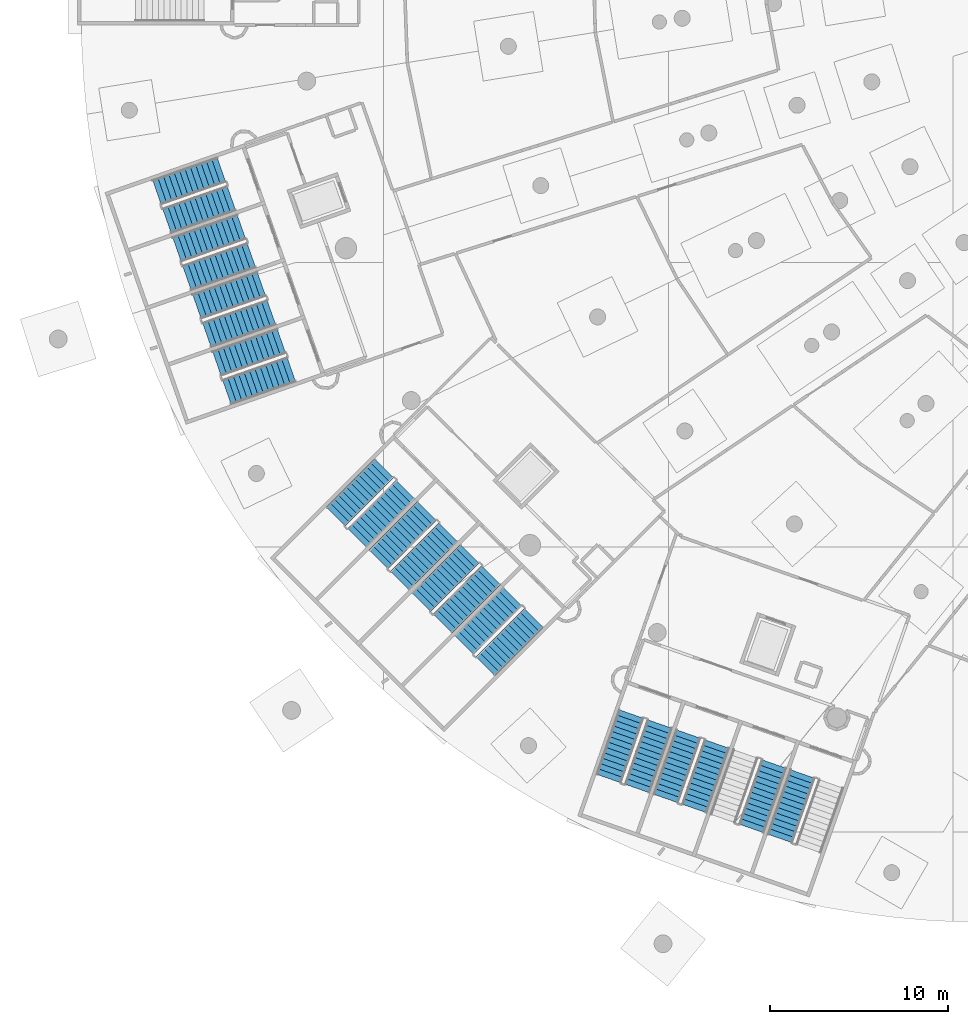
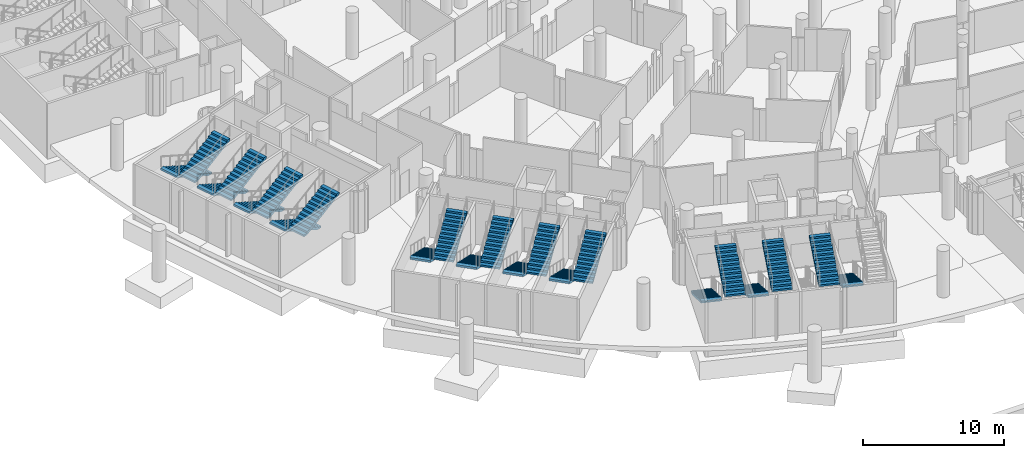
# One storey, part 98 of 142: 22 stair flights, 12 elements without a shape of their own.
"""IFC4 building model written with IfcOpenShell, lengths in metres."""

from ifc_helpers import new_model, si_unit, direction, frame, origin, place, context, subcontext, project, spatial, polyline, outline, extrude, material, type_object, element, aggregate, save


model = new_model("IFC4")

# Units and contexts
model_context = context("Model", 3, precision=1e-05, world=origin(), true_north=direction((0.0, 1.0)))
body_context = subcontext(model_context, "Body", "Model", "MODEL_VIEW")
ifc_project = project(units=[si_unit("LENGTHUNIT", "METRE"), si_unit("AREAUNIT", "SQUARE_METRE"), si_unit("VOLUMEUNIT", "CUBIC_METRE"), si_unit("PLANEANGLEUNIT", "RADIAN"), si_unit("MASSUNIT", "GRAM", prefix="KILO")], contexts=[model_context])

# Site, building, storey
site_placement = place(None, origin())
site = spatial("IfcSite", under=ifc_project, at=site_placement, CompositionType="ELEMENT")
building_placement = place(site_placement, origin())
building = spatial("IfcBuilding", under=site, at=building_placement, Name="Meseta Stadium", CompositionType="ELEMENT")
storey_placement = place(building_placement, frame((0.0, 0.0, -4.0)))
storey = spatial("IfcBuildingStorey", under=building, at=storey_placement, Name="B1", CompositionType="ELEMENT", Elevation=-4.0)

# Stair, stair flights
ifc_material_1 = material(Name="Concrete C40/50", Category="concrete")
stair_type = type_object("IfcStairType", Name="Exit stair 2 flights 154 mm risers", PredefinedType="HALF_TURN_STAIR", material=ifc_material_1)
stair_1_placement = place(storey_placement, origin())
stair_1 = element("IfcStair", 1, at=stair_1_placement, inside=storey, type_object=stair_type, Name="ST77 B1", PredefinedType="HALF_TURN_STAIR")
ifc_material_2 = material(Name="Concrete C40/50", Category="concrete")
stair_flight_type = type_object("IfcStairFlightType", Name="Exit stair flight 154 mm risers, 2 per storey", PredefinedType="STRAIGHT", material=ifc_material_2)
stair_flight_1_placement = place(storey_placement, frame((-89.118408203125, -58.7841796875, 0.0), z_axis=(0.0, 0.0, 1.0), x_axis=(-0.943883331955, -0.330279057248, 0.0)))
stair_flight_1 = element("IfcStairFlight", 2, at=stair_flight_1_placement, type_object=stair_flight_type, Name="ST77 B1 flight 1", NumberOfRisers=13, NumberOfTreads=12, PredefinedType="STRAIGHT", RiserHeight=0.153846154, TreadLength=0.32, context=body_context, shape_type="SweptSolid", body=[
    extrude(outline(polyline([(0.0, 0.0), (0.0, 0.15380859375), (0.320068359375, 0.15380859375), (0.320068359375, 0.3076171875), (0.639892578125, 0.3076171875), (0.639892578125, 0.46142578125), (0.9599609375, 0.46142578125), (0.9599609375, 0.615478515625), (1.280029296875, 0.615478515625), (1.280029296875, 0.769287109375), (1.60009765625, 0.769287109375), (1.60009765625, 0.923095703125), (1.919921875, 0.923095703125), (1.919921875, 1.076904296875), (2.239990234375, 1.076904296875), (2.239990234375, 1.230712890625), (2.56005859375, 1.230712890625), (2.56005859375, 1.384521484375), (2.8798828125, 1.384521484375), (2.8798828125, 1.53857421875), (3.199951171875, 1.53857421875), (3.199951171875, 1.6923828125), (3.52001953125, 1.6923828125), (3.52001953125, 1.84619140625), (3.840087890625, 1.84619140625), (3.840087890625, 1.679931640625), (0.345947265625, 0.0), (0.0, 0.0)])), frame((0.0, 0.75, 0.0), z_axis=(0.0, -1.0, 0.0), x_axis=(1.0, 0.0, 0.0)), (0.0, 0.0, 1.0), 1.5),
])
stair_flight_2_placement = place(storey_placement, frame((-92.181396484375, -61.656982421875, 2.0), z_axis=(0.0, 0.0, 1.0), x_axis=(0.943883331955, 0.330279057248, 0.0)))
stair_flight_2 = element("IfcStairFlight", 3, at=stair_flight_2_placement, type_object=stair_flight_type, Name="ST77 B1 flight 2", NumberOfRisers=13, NumberOfTreads=12, PredefinedType="STRAIGHT", RiserHeight=0.153846154, TreadLength=0.32, context=body_context, shape_type="SweptSolid", body=[
    extrude(outline(polyline([(0.0, 0.0), (0.0, 0.15380859375), (0.320068359375, 0.15380859375), (0.320068359375, 0.3076171875), (0.639892578125, 0.3076171875), (0.639892578125, 0.46142578125), (0.9599609375, 0.46142578125), (0.9599609375, 0.615478515625), (1.280029296875, 0.615478515625), (1.280029296875, 0.769287109375), (1.60009765625, 0.769287109375), (1.60009765625, 0.923095703125), (1.919921875, 0.923095703125), (1.919921875, 1.076904296875), (2.239990234375, 1.076904296875), (2.239990234375, 1.230712890625), (2.56005859375, 1.230712890625), (2.56005859375, 1.384521484375), (2.8798828125, 1.384521484375), (2.8798828125, 1.53857421875), (3.199951171875, 1.53857421875), (3.199951171875, 1.6923828125), (3.52001953125, 1.6923828125), (3.52001953125, 1.84619140625), (3.840087890625, 1.84619140625), (3.840087890625, 1.679931640625), (0.345947265625, 0.0), (0.0, 0.0)])), frame((0.0, 0.75, 0.0), z_axis=(0.0, -1.0, 0.0), x_axis=(1.0, 0.0, 0.0)), (0.0, 0.0, 1.0), 1.5),
])
aggregate(stair_1, [stair_flight_1, stair_flight_2])

stair_2_placement = place(storey_placement, origin())
stair_2 = element("IfcStair", 4, at=stair_2_placement, inside=storey, type_object=stair_type, Name="ST78 B1", PredefinedType="HALF_TURN_STAIR")
stair_flight_3_placement = place(storey_placement, frame((-87.99560546875, -61.9931640625, 0.0), z_axis=(0.0, 0.0, 1.0), x_axis=(-0.943883331955, -0.330279057248, 0.0)))
stair_flight_3 = element("IfcStairFlight", 5, at=stair_flight_3_placement, type_object=stair_flight_type, Name="ST78 B1 flight 1", NumberOfRisers=13, NumberOfTreads=12, PredefinedType="STRAIGHT", RiserHeight=0.153846154, TreadLength=0.32, context=body_context, shape_type="SweptSolid", body=[
    extrude(outline(polyline([(0.0, 0.0), (0.0, 0.15380859375), (0.320068359375, 0.15380859375), (0.320068359375, 0.3076171875), (0.639892578125, 0.3076171875), (0.639892578125, 0.46142578125), (0.9599609375, 0.46142578125), (0.9599609375, 0.615478515625), (1.280029296875, 0.615478515625), (1.280029296875, 0.769287109375), (1.60009765625, 0.769287109375), (1.60009765625, 0.923095703125), (1.919921875, 0.923095703125), (1.919921875, 1.076904296875), (2.239990234375, 1.076904296875), (2.239990234375, 1.230712890625), (2.56005859375, 1.230712890625), (2.56005859375, 1.384521484375), (2.8798828125, 1.384521484375), (2.8798828125, 1.53857421875), (3.199951171875, 1.53857421875), (3.199951171875, 1.6923828125), (3.52001953125, 1.6923828125), (3.52001953125, 1.84619140625), (3.840087890625, 1.84619140625), (3.840087890625, 1.679931640625), (0.345947265625, 0.0), (0.0, 0.0)])), frame((0.0, 0.75, 0.0), z_axis=(0.0, -1.0, 0.0), x_axis=(1.0, 0.0, 0.0)), (0.0, 0.0, 1.0), 1.5),
])
stair_flight_4_placement = place(storey_placement, frame((-91.05859375, -64.8662109375, 2.0), z_axis=(0.0, 0.0, 1.0), x_axis=(0.943883331955, 0.330279057248, 0.0)))
stair_flight_4 = element("IfcStairFlight", 6, at=stair_flight_4_placement, type_object=stair_flight_type, Name="ST78 B1 flight 2", NumberOfRisers=13, NumberOfTreads=12, PredefinedType="STRAIGHT", RiserHeight=0.153846154, TreadLength=0.32, context=body_context, shape_type="SweptSolid", body=[
    extrude(outline(polyline([(0.0, 0.0), (0.0, 0.15380859375), (0.320068359375, 0.15380859375), (0.320068359375, 0.3076171875), (0.639892578125, 0.3076171875), (0.639892578125, 0.46142578125), (0.9599609375, 0.46142578125), (0.9599609375, 0.615478515625), (1.280029296875, 0.615478515625), (1.280029296875, 0.769287109375), (1.60009765625, 0.769287109375), (1.60009765625, 0.923095703125), (1.919921875, 0.923095703125), (1.919921875, 1.076904296875), (2.239990234375, 1.076904296875), (2.239990234375, 1.230712890625), (2.56005859375, 1.230712890625), (2.56005859375, 1.384521484375), (2.8798828125, 1.384521484375), (2.8798828125, 1.53857421875), (3.199951171875, 1.53857421875), (3.199951171875, 1.6923828125), (3.52001953125, 1.6923828125), (3.52001953125, 1.84619140625), (3.840087890625, 1.84619140625), (3.840087890625, 1.679931640625), (0.345947265625, 0.0), (0.0, 0.0)])), frame((0.0, 0.75, 0.0), z_axis=(0.0, -1.0, 0.0), x_axis=(1.0, 0.0, 0.0)), (0.0, 0.0, 1.0), 1.5),
])
aggregate(stair_2, [stair_flight_3, stair_flight_4])

stair_3_placement = place(storey_placement, origin())
stair_3 = element("IfcStair", 7, at=stair_3_placement, inside=storey, type_object=stair_type, Name="ST79 B1", PredefinedType="HALF_TURN_STAIR")
stair_flight_5_placement = place(storey_placement, frame((-86.87255859375, -65.202392578125, 0.0), z_axis=(0.0, 0.0, 1.0), x_axis=(-0.943883331955, -0.330279057248, 0.0)))
stair_flight_5 = element("IfcStairFlight", 8, at=stair_flight_5_placement, type_object=stair_flight_type, Name="ST79 B1 flight 1", NumberOfRisers=13, NumberOfTreads=12, PredefinedType="STRAIGHT", RiserHeight=0.153846154, TreadLength=0.32, context=body_context, shape_type="SweptSolid", body=[
    extrude(outline(polyline([(0.0, 0.0), (0.0, 0.15380859375), (0.320068359375, 0.15380859375), (0.320068359375, 0.3076171875), (0.639892578125, 0.3076171875), (0.639892578125, 0.46142578125), (0.9599609375, 0.46142578125), (0.9599609375, 0.615478515625), (1.280029296875, 0.615478515625), (1.280029296875, 0.769287109375), (1.60009765625, 0.769287109375), (1.60009765625, 0.923095703125), (1.919921875, 0.923095703125), (1.919921875, 1.076904296875), (2.239990234375, 1.076904296875), (2.239990234375, 1.230712890625), (2.56005859375, 1.230712890625), (2.56005859375, 1.384521484375), (2.8798828125, 1.384521484375), (2.8798828125, 1.53857421875), (3.199951171875, 1.53857421875), (3.199951171875, 1.6923828125), (3.52001953125, 1.6923828125), (3.52001953125, 1.84619140625), (3.840087890625, 1.84619140625), (3.840087890625, 1.679931640625), (0.345947265625, 0.0), (0.0, 0.0)])), frame((0.0, 0.75, 0.0), z_axis=(0.0, -1.0, 0.0), x_axis=(1.0, 0.0, 0.0)), (0.0, 0.0, 1.0), 1.5),
])
stair_flight_6_placement = place(storey_placement, frame((-89.935546875, -68.075439453125, 2.0), z_axis=(0.0, 0.0, 1.0), x_axis=(0.943883331955, 0.330279057248, 0.0)))
stair_flight_6 = element("IfcStairFlight", 9, at=stair_flight_6_placement, type_object=stair_flight_type, Name="ST79 B1 flight 2", NumberOfRisers=13, NumberOfTreads=12, PredefinedType="STRAIGHT", RiserHeight=0.153846154, TreadLength=0.32, context=body_context, shape_type="SweptSolid", body=[
    extrude(outline(polyline([(0.0, 0.0), (0.0, 0.15380859375), (0.320068359375, 0.15380859375), (0.320068359375, 0.3076171875), (0.639892578125, 0.3076171875), (0.639892578125, 0.46142578125), (0.9599609375, 0.46142578125), (0.9599609375, 0.615478515625), (1.280029296875, 0.615478515625), (1.280029296875, 0.769287109375), (1.60009765625, 0.769287109375), (1.60009765625, 0.923095703125), (1.919921875, 0.923095703125), (1.919921875, 1.076904296875), (2.239990234375, 1.076904296875), (2.239990234375, 1.230712890625), (2.56005859375, 1.230712890625), (2.56005859375, 1.384521484375), (2.8798828125, 1.384521484375), (2.8798828125, 1.53857421875), (3.199951171875, 1.53857421875), (3.199951171875, 1.6923828125), (3.52001953125, 1.6923828125), (3.52001953125, 1.84619140625), (3.840087890625, 1.84619140625), (3.840087890625, 1.679931640625), (0.345947265625, 0.0), (0.0, 0.0)])), frame((0.0, 0.75, 0.0), z_axis=(0.0, -1.0, 0.0), x_axis=(1.0, 0.0, 0.0)), (0.0, 0.0, 1.0), 1.5),
])
aggregate(stair_3, [stair_flight_5, stair_flight_6])

stair_4_placement = place(storey_placement, origin())
stair_4 = element("IfcStair", 10, at=stair_4_placement, inside=storey, type_object=stair_type, Name="ST80 B1", PredefinedType="HALF_TURN_STAIR")
stair_flight_7_placement = place(storey_placement, frame((-85.74951171875, -68.41162109375, 0.0), z_axis=(0.0, 0.0, 1.0), x_axis=(-0.943883331955, -0.330279057248, 0.0)))
stair_flight_7 = element("IfcStairFlight", 11, at=stair_flight_7_placement, type_object=stair_flight_type, Name="ST80 B1 flight 1", NumberOfRisers=13, NumberOfTreads=12, PredefinedType="STRAIGHT", RiserHeight=0.153846154, TreadLength=0.32, context=body_context, shape_type="SweptSolid", body=[
    extrude(outline(polyline([(0.0, 0.0), (0.0, 0.15380859375), (0.320068359375, 0.15380859375), (0.320068359375, 0.3076171875), (0.639892578125, 0.3076171875), (0.639892578125, 0.46142578125), (0.9599609375, 0.46142578125), (0.9599609375, 0.615478515625), (1.280029296875, 0.615478515625), (1.280029296875, 0.769287109375), (1.60009765625, 0.769287109375), (1.60009765625, 0.923095703125), (1.919921875, 0.923095703125), (1.919921875, 1.076904296875), (2.239990234375, 1.076904296875), (2.239990234375, 1.230712890625), (2.56005859375, 1.230712890625), (2.56005859375, 1.384521484375), (2.8798828125, 1.384521484375), (2.8798828125, 1.53857421875), (3.199951171875, 1.53857421875), (3.199951171875, 1.6923828125), (3.52001953125, 1.6923828125), (3.52001953125, 1.84619140625), (3.840087890625, 1.84619140625), (3.840087890625, 1.679931640625), (0.345947265625, 0.0), (0.0, 0.0)])), frame((0.0, 0.75, 0.0), z_axis=(0.0, -1.0, 0.0), x_axis=(1.0, 0.0, 0.0)), (0.0, 0.0, 1.0), 1.5),
])
stair_flight_8_placement = place(storey_placement, frame((-88.812744140625, -71.284423828125, 2.0), z_axis=(0.0, 0.0, 1.0), x_axis=(0.943883331955, 0.330279057248, 0.0)))
stair_flight_8 = element("IfcStairFlight", 12, at=stair_flight_8_placement, type_object=stair_flight_type, Name="ST80 B1 flight 2", NumberOfRisers=13, NumberOfTreads=12, PredefinedType="STRAIGHT", RiserHeight=0.153846154, TreadLength=0.32, context=body_context, shape_type="SweptSolid", body=[
    extrude(outline(polyline([(0.0, 0.0), (0.0, 0.15380859375), (0.320068359375, 0.15380859375), (0.320068359375, 0.3076171875), (0.639892578125, 0.3076171875), (0.639892578125, 0.46142578125), (0.9599609375, 0.46142578125), (0.9599609375, 0.615478515625), (1.280029296875, 0.615478515625), (1.280029296875, 0.769287109375), (1.60009765625, 0.769287109375), (1.60009765625, 0.923095703125), (1.919921875, 0.923095703125), (1.919921875, 1.076904296875), (2.239990234375, 1.076904296875), (2.239990234375, 1.230712890625), (2.56005859375, 1.230712890625), (2.56005859375, 1.384521484375), (2.8798828125, 1.384521484375), (2.8798828125, 1.53857421875), (3.199951171875, 1.53857421875), (3.199951171875, 1.6923828125), (3.52001953125, 1.6923828125), (3.52001953125, 1.84619140625), (3.840087890625, 1.84619140625), (3.840087890625, 1.679931640625), (0.345947265625, 0.0), (0.0, 0.0)])), frame((0.0, 0.75, 0.0), z_axis=(0.0, -1.0, 0.0), x_axis=(1.0, 0.0, 0.0)), (0.0, 0.0, 1.0), 1.5),
])
aggregate(stair_4, [stair_flight_7, stair_flight_8])

stair_5_placement = place(storey_placement, origin())
stair_5 = element("IfcStair", 13, at=stair_5_placement, inside=storey, type_object=stair_type, Name="ST81 B1", PredefinedType="HALF_TURN_STAIR")
stair_flight_9_placement = place(storey_placement, frame((-79.9765625, -75.56201171875, 0.0), z_axis=(0.0, 0.0, 1.0), x_axis=(-0.707106781187, -0.707106781187, 0.0)))
stair_flight_9 = element("IfcStairFlight", 14, at=stair_flight_9_placement, type_object=stair_flight_type, Name="ST81 B1 flight 1", NumberOfRisers=13, NumberOfTreads=12, PredefinedType="STRAIGHT", RiserHeight=0.153846154, TreadLength=0.32, context=body_context, shape_type="SweptSolid", body=[
    extrude(outline(polyline([(0.0, 0.0), (0.0, 0.15380859375), (0.320068359375, 0.15380859375), (0.320068359375, 0.3076171875), (0.639892578125, 0.3076171875), (0.639892578125, 0.46142578125), (0.9599609375, 0.46142578125), (0.9599609375, 0.615478515625), (1.280029296875, 0.615478515625), (1.280029296875, 0.769287109375), (1.60009765625, 0.769287109375), (1.60009765625, 0.923095703125), (1.919921875, 0.923095703125), (1.919921875, 1.076904296875), (2.239990234375, 1.076904296875), (2.239990234375, 1.230712890625), (2.56005859375, 1.230712890625), (2.56005859375, 1.384521484375), (2.8798828125, 1.384521484375), (2.8798828125, 1.53857421875), (3.199951171875, 1.53857421875), (3.199951171875, 1.6923828125), (3.52001953125, 1.6923828125), (3.52001953125, 1.84619140625), (3.840087890625, 1.84619140625), (3.840087890625, 1.679931640625), (0.345947265625, 0.0), (0.0, 0.0)])), frame((0.0, 0.75, 0.0), z_axis=(0.0, -1.0, 0.0), x_axis=(1.0, 0.0, 0.0)), (0.0, 0.0, 1.0), 1.5),
])
stair_flight_10_placement = place(storey_placement, frame((-81.48974609375, -79.479248046875, 2.0), z_axis=(0.0, 0.0, 1.0), x_axis=(0.707106781187, 0.707106781187, 0.0)))
stair_flight_10 = element("IfcStairFlight", 15, at=stair_flight_10_placement, type_object=stair_flight_type, Name="ST81 B1 flight 2", NumberOfRisers=13, NumberOfTreads=12, PredefinedType="STRAIGHT", RiserHeight=0.153846154, TreadLength=0.32, context=body_context, shape_type="SweptSolid", body=[
    extrude(outline(polyline([(0.0, 0.0), (0.0, 0.15380859375), (0.320068359375, 0.15380859375), (0.320068359375, 0.3076171875), (0.639892578125, 0.3076171875), (0.639892578125, 0.46142578125), (0.9599609375, 0.46142578125), (0.9599609375, 0.615478515625), (1.280029296875, 0.615478515625), (1.280029296875, 0.769287109375), (1.60009765625, 0.769287109375), (1.60009765625, 0.923095703125), (1.919921875, 0.923095703125), (1.919921875, 1.076904296875), (2.239990234375, 1.076904296875), (2.239990234375, 1.230712890625), (2.56005859375, 1.230712890625), (2.56005859375, 1.384521484375), (2.8798828125, 1.384521484375), (2.8798828125, 1.53857421875), (3.199951171875, 1.53857421875), (3.199951171875, 1.6923828125), (3.52001953125, 1.6923828125), (3.52001953125, 1.84619140625), (3.840087890625, 1.84619140625), (3.840087890625, 1.679931640625), (0.345947265625, 0.0), (0.0, 0.0)])), frame((0.0, 0.75, 0.0), z_axis=(0.0, -1.0, 0.0), x_axis=(1.0, 0.0, 0.0)), (0.0, 0.0, 1.0), 1.5),
])
aggregate(stair_5, [stair_flight_9, stair_flight_10])

stair_6_placement = place(storey_placement, origin())
stair_6 = element("IfcStair", 16, at=stair_6_placement, inside=storey, type_object=stair_type, Name="ST82 B1", PredefinedType="HALF_TURN_STAIR")
stair_flight_11_placement = place(storey_placement, frame((-77.572265625, -77.966064453125, 0.0), z_axis=(0.0, 0.0, 1.0), x_axis=(-0.707106781187, -0.707106781187, 0.0)))
stair_flight_11 = element("IfcStairFlight", 17, at=stair_flight_11_placement, type_object=stair_flight_type, Name="ST82 B1 flight 1", NumberOfRisers=13, NumberOfTreads=12, PredefinedType="STRAIGHT", RiserHeight=0.153846154, TreadLength=0.32, context=body_context, shape_type="SweptSolid", body=[
    extrude(outline(polyline([(0.0, 0.0), (0.0, 0.15380859375), (0.320068359375, 0.15380859375), (0.320068359375, 0.3076171875), (0.639892578125, 0.3076171875), (0.639892578125, 0.46142578125), (0.9599609375, 0.46142578125), (0.9599609375, 0.615478515625), (1.280029296875, 0.615478515625), (1.280029296875, 0.769287109375), (1.60009765625, 0.769287109375), (1.60009765625, 0.923095703125), (1.919921875, 0.923095703125), (1.919921875, 1.076904296875), (2.239990234375, 1.076904296875), (2.239990234375, 1.230712890625), (2.56005859375, 1.230712890625), (2.56005859375, 1.384521484375), (2.8798828125, 1.384521484375), (2.8798828125, 1.53857421875), (3.199951171875, 1.53857421875), (3.199951171875, 1.6923828125), (3.52001953125, 1.6923828125), (3.52001953125, 1.84619140625), (3.840087890625, 1.84619140625), (3.840087890625, 1.679931640625), (0.345947265625, 0.0), (0.0, 0.0)])), frame((0.0, 0.75, 0.0), z_axis=(0.0, -1.0, 0.0), x_axis=(1.0, 0.0, 0.0)), (0.0, 0.0, 1.0), 1.5),
])
stair_flight_12_placement = place(storey_placement, frame((-79.08544921875, -81.883544921875, 2.0), z_axis=(0.0, 0.0, 1.0), x_axis=(0.707106781187, 0.707106781187, 0.0)))
stair_flight_12 = element("IfcStairFlight", 18, at=stair_flight_12_placement, type_object=stair_flight_type, Name="ST82 B1 flight 2", NumberOfRisers=13, NumberOfTreads=12, PredefinedType="STRAIGHT", RiserHeight=0.153846154, TreadLength=0.32, context=body_context, shape_type="SweptSolid", body=[
    extrude(outline(polyline([(0.0, 0.0), (0.0, 0.15380859375), (0.320068359375, 0.15380859375), (0.320068359375, 0.3076171875), (0.639892578125, 0.3076171875), (0.639892578125, 0.46142578125), (0.9599609375, 0.46142578125), (0.9599609375, 0.615478515625), (1.280029296875, 0.615478515625), (1.280029296875, 0.769287109375), (1.60009765625, 0.769287109375), (1.60009765625, 0.923095703125), (1.919921875, 0.923095703125), (1.919921875, 1.076904296875), (2.239990234375, 1.076904296875), (2.239990234375, 1.230712890625), (2.56005859375, 1.230712890625), (2.56005859375, 1.384521484375), (2.8798828125, 1.384521484375), (2.8798828125, 1.53857421875), (3.199951171875, 1.53857421875), (3.199951171875, 1.6923828125), (3.52001953125, 1.6923828125), (3.52001953125, 1.84619140625), (3.840087890625, 1.84619140625), (3.840087890625, 1.679931640625), (0.345947265625, 0.0), (0.0, 0.0)])), frame((0.0, 0.75, 0.0), z_axis=(0.0, -1.0, 0.0), x_axis=(1.0, 0.0, 0.0)), (0.0, 0.0, 1.0), 1.5),
])
aggregate(stair_6, [stair_flight_11, stair_flight_12])

stair_7_placement = place(storey_placement, origin())
stair_7 = element("IfcStair", 19, at=stair_7_placement, inside=storey, type_object=stair_type, Name="ST83 B1", PredefinedType="HALF_TURN_STAIR")
stair_flight_13_placement = place(storey_placement, frame((-75.168212890625, -80.3701171875, 0.0), z_axis=(0.0, 0.0, 1.0), x_axis=(-0.707106781187, -0.707106781187, 0.0)))
stair_flight_13 = element("IfcStairFlight", 20, at=stair_flight_13_placement, type_object=stair_flight_type, Name="ST83 B1 flight 1", NumberOfRisers=13, NumberOfTreads=12, PredefinedType="STRAIGHT", RiserHeight=0.153846154, TreadLength=0.32, context=body_context, shape_type="SweptSolid", body=[
    extrude(outline(polyline([(0.0, 0.0), (0.0, 0.15380859375), (0.320068359375, 0.15380859375), (0.320068359375, 0.3076171875), (0.639892578125, 0.3076171875), (0.639892578125, 0.46142578125), (0.9599609375, 0.46142578125), (0.9599609375, 0.615478515625), (1.280029296875, 0.615478515625), (1.280029296875, 0.769287109375), (1.60009765625, 0.769287109375), (1.60009765625, 0.923095703125), (1.919921875, 0.923095703125), (1.919921875, 1.076904296875), (2.239990234375, 1.076904296875), (2.239990234375, 1.230712890625), (2.56005859375, 1.230712890625), (2.56005859375, 1.384521484375), (2.8798828125, 1.384521484375), (2.8798828125, 1.53857421875), (3.199951171875, 1.53857421875), (3.199951171875, 1.6923828125), (3.52001953125, 1.6923828125), (3.52001953125, 1.84619140625), (3.840087890625, 1.84619140625), (3.840087890625, 1.679931640625), (0.345947265625, 0.0), (0.0, 0.0)])), frame((0.0, 0.75, 0.0), z_axis=(0.0, -1.0, 0.0), x_axis=(1.0, 0.0, 0.0)), (0.0, 0.0, 1.0), 1.5),
])
stair_flight_14_placement = place(storey_placement, frame((-76.681396484375, -84.28759765625, 2.0), z_axis=(0.0, 0.0, 1.0), x_axis=(0.707106781187, 0.707106781187, 0.0)))
stair_flight_14 = element("IfcStairFlight", 21, at=stair_flight_14_placement, type_object=stair_flight_type, Name="ST83 B1 flight 2", NumberOfRisers=13, NumberOfTreads=12, PredefinedType="STRAIGHT", RiserHeight=0.153846154, TreadLength=0.32, context=body_context, shape_type="SweptSolid", body=[
    extrude(outline(polyline([(0.0, 0.0), (0.0, 0.15380859375), (0.320068359375, 0.15380859375), (0.320068359375, 0.3076171875), (0.639892578125, 0.3076171875), (0.639892578125, 0.46142578125), (0.9599609375, 0.46142578125), (0.9599609375, 0.615478515625), (1.280029296875, 0.615478515625), (1.280029296875, 0.769287109375), (1.60009765625, 0.769287109375), (1.60009765625, 0.923095703125), (1.919921875, 0.923095703125), (1.919921875, 1.076904296875), (2.239990234375, 1.076904296875), (2.239990234375, 1.230712890625), (2.56005859375, 1.230712890625), (2.56005859375, 1.384521484375), (2.8798828125, 1.384521484375), (2.8798828125, 1.53857421875), (3.199951171875, 1.53857421875), (3.199951171875, 1.6923828125), (3.52001953125, 1.6923828125), (3.52001953125, 1.84619140625), (3.840087890625, 1.84619140625), (3.840087890625, 1.679931640625), (0.345947265625, 0.0), (0.0, 0.0)])), frame((0.0, 0.75, 0.0), z_axis=(0.0, -1.0, 0.0), x_axis=(1.0, 0.0, 0.0)), (0.0, 0.0, 1.0), 1.5),
])
aggregate(stair_7, [stair_flight_13, stair_flight_14])

stair_8_placement = place(storey_placement, origin())
stair_8 = element("IfcStair", 22, at=stair_8_placement, inside=storey, type_object=stair_type, Name="ST84 B1", PredefinedType="HALF_TURN_STAIR")
stair_flight_15_placement = place(storey_placement, frame((-72.763916015625, -82.7744140625, 0.0), z_axis=(0.0, 0.0, 1.0), x_axis=(-0.707106781187, -0.707106781187, 0.0)))
stair_flight_15 = element("IfcStairFlight", 23, at=stair_flight_15_placement, type_object=stair_flight_type, Name="ST84 B1 flight 1", NumberOfRisers=13, NumberOfTreads=12, PredefinedType="STRAIGHT", RiserHeight=0.153846154, TreadLength=0.32, context=body_context, shape_type="SweptSolid", body=[
    extrude(outline(polyline([(0.0, 0.0), (0.0, 0.15380859375), (0.320068359375, 0.15380859375), (0.320068359375, 0.3076171875), (0.639892578125, 0.3076171875), (0.639892578125, 0.46142578125), (0.9599609375, 0.46142578125), (0.9599609375, 0.615478515625), (1.280029296875, 0.615478515625), (1.280029296875, 0.769287109375), (1.60009765625, 0.769287109375), (1.60009765625, 0.923095703125), (1.919921875, 0.923095703125), (1.919921875, 1.076904296875), (2.239990234375, 1.076904296875), (2.239990234375, 1.230712890625), (2.56005859375, 1.230712890625), (2.56005859375, 1.384521484375), (2.8798828125, 1.384521484375), (2.8798828125, 1.53857421875), (3.199951171875, 1.53857421875), (3.199951171875, 1.6923828125), (3.52001953125, 1.6923828125), (3.52001953125, 1.84619140625), (3.840087890625, 1.84619140625), (3.840087890625, 1.679931640625), (0.345947265625, 0.0), (0.0, 0.0)])), frame((0.0, 0.75, 0.0), z_axis=(0.0, -1.0, 0.0), x_axis=(1.0, 0.0, 0.0)), (0.0, 0.0, 1.0), 1.5),
])
stair_flight_16_placement = place(storey_placement, frame((-74.277099609375, -86.691650390625, 2.0), z_axis=(0.0, 0.0, 1.0), x_axis=(0.707106781187, 0.707106781187, 0.0)))
stair_flight_16 = element("IfcStairFlight", 24, at=stair_flight_16_placement, type_object=stair_flight_type, Name="ST84 B1 flight 2", NumberOfRisers=13, NumberOfTreads=12, PredefinedType="STRAIGHT", RiserHeight=0.153846154, TreadLength=0.32, context=body_context, shape_type="SweptSolid", body=[
    extrude(outline(polyline([(0.0, 0.0), (0.0, 0.15380859375), (0.320068359375, 0.15380859375), (0.320068359375, 0.3076171875), (0.639892578125, 0.3076171875), (0.639892578125, 0.46142578125), (0.9599609375, 0.46142578125), (0.9599609375, 0.615478515625), (1.280029296875, 0.615478515625), (1.280029296875, 0.769287109375), (1.60009765625, 0.769287109375), (1.60009765625, 0.923095703125), (1.919921875, 0.923095703125), (1.919921875, 1.076904296875), (2.239990234375, 1.076904296875), (2.239990234375, 1.230712890625), (2.56005859375, 1.230712890625), (2.56005859375, 1.384521484375), (2.8798828125, 1.384521484375), (2.8798828125, 1.53857421875), (3.199951171875, 1.53857421875), (3.199951171875, 1.6923828125), (3.52001953125, 1.6923828125), (3.52001953125, 1.84619140625), (3.840087890625, 1.84619140625), (3.840087890625, 1.679931640625), (0.345947265625, 0.0), (0.0, 0.0)])), frame((0.0, 0.75, 0.0), z_axis=(0.0, -1.0, 0.0), x_axis=(1.0, 0.0, 0.0)), (0.0, 0.0, 1.0), 1.5),
])
aggregate(stair_8, [stair_flight_15, stair_flight_16])

stair_9_placement = place(storey_placement, origin())
stair_9 = element("IfcStair", 25, at=stair_9_placement, inside=storey, type_object=stair_type, Name="ST85 B1", PredefinedType="HALF_TURN_STAIR")
stair_flight_17_placement = place(storey_placement, frame((-66.082275390625, -89.376953125, 0.0), z_axis=(0.0, 0.0, 1.0), x_axis=(-0.330279057248, -0.943883331955, 0.0)))
stair_flight_17 = element("IfcStairFlight", 26, at=stair_flight_17_placement, type_object=stair_flight_type, Name="ST85 B1 flight 1", NumberOfRisers=13, NumberOfTreads=12, PredefinedType="STRAIGHT", RiserHeight=0.153846154, TreadLength=0.32, context=body_context, shape_type="SweptSolid", body=[
    extrude(outline(polyline([(0.0, 0.0), (0.0, 0.15380859375), (0.320068359375, 0.15380859375), (0.320068359375, 0.3076171875), (0.639892578125, 0.3076171875), (0.639892578125, 0.46142578125), (0.9599609375, 0.46142578125), (0.9599609375, 0.615478515625), (1.280029296875, 0.615478515625), (1.280029296875, 0.769287109375), (1.60009765625, 0.769287109375), (1.60009765625, 0.923095703125), (1.919921875, 0.923095703125), (1.919921875, 1.076904296875), (2.239990234375, 1.076904296875), (2.239990234375, 1.230712890625), (2.56005859375, 1.230712890625), (2.56005859375, 1.384521484375), (2.8798828125, 1.384521484375), (2.8798828125, 1.53857421875), (3.199951171875, 1.53857421875), (3.199951171875, 1.6923828125), (3.52001953125, 1.6923828125), (3.52001953125, 1.84619140625), (3.840087890625, 1.84619140625), (3.840087890625, 1.679931640625), (0.345947265625, 0.0), (0.0, 0.0)])), frame((0.0, 0.75, 0.0), z_axis=(0.0, -1.0, 0.0), x_axis=(1.0, 0.0, 0.0)), (0.0, 0.0, 1.0), 1.5),
])
stair_flight_18_placement = place(storey_placement, frame((-65.74609375, -93.56298828125, 2.0), z_axis=(0.0, 0.0, 1.0), x_axis=(0.330279057248, 0.943883331955, 0.0)))
stair_flight_18 = element("IfcStairFlight", 27, at=stair_flight_18_placement, type_object=stair_flight_type, Name="ST85 B1 flight 2", NumberOfRisers=13, NumberOfTreads=12, PredefinedType="STRAIGHT", RiserHeight=0.153846154, TreadLength=0.32, context=body_context, shape_type="SweptSolid", body=[
    extrude(outline(polyline([(0.0, 0.0), (0.0, 0.15380859375), (0.320068359375, 0.15380859375), (0.320068359375, 0.3076171875), (0.639892578125, 0.3076171875), (0.639892578125, 0.46142578125), (0.9599609375, 0.46142578125), (0.9599609375, 0.615478515625), (1.280029296875, 0.615478515625), (1.280029296875, 0.769287109375), (1.60009765625, 0.769287109375), (1.60009765625, 0.923095703125), (1.919921875, 0.923095703125), (1.919921875, 1.076904296875), (2.239990234375, 1.076904296875), (2.239990234375, 1.230712890625), (2.56005859375, 1.230712890625), (2.56005859375, 1.384521484375), (2.8798828125, 1.384521484375), (2.8798828125, 1.53857421875), (3.199951171875, 1.53857421875), (3.199951171875, 1.6923828125), (3.52001953125, 1.6923828125), (3.52001953125, 1.84619140625), (3.840087890625, 1.84619140625), (3.840087890625, 1.679931640625), (0.345947265625, 0.0), (0.0, 0.0)])), frame((0.0, 0.75, 0.0), z_axis=(0.0, -1.0, 0.0), x_axis=(1.0, 0.0, 0.0)), (0.0, 0.0, 1.0), 1.5),
])
aggregate(stair_9, [stair_flight_17, stair_flight_18])

stair_10_placement = place(storey_placement, origin())
stair_10 = element("IfcStair", 28, at=stair_10_placement, inside=storey, type_object=stair_type, Name="ST86 B1", PredefinedType="HALF_TURN_STAIR")
stair_flight_19_placement = place(storey_placement, frame((-62.873046875, -90.5, 0.0), z_axis=(0.0, 0.0, 1.0), x_axis=(-0.330279057248, -0.943883331955, 0.0)))
stair_flight_19 = element("IfcStairFlight", 29, at=stair_flight_19_placement, type_object=stair_flight_type, Name="ST86 B1 flight 1", NumberOfRisers=13, NumberOfTreads=12, PredefinedType="STRAIGHT", RiserHeight=0.153846154, TreadLength=0.32, context=body_context, shape_type="SweptSolid", body=[
    extrude(outline(polyline([(0.0, 0.0), (0.0, 0.15380859375), (0.320068359375, 0.15380859375), (0.320068359375, 0.3076171875), (0.639892578125, 0.3076171875), (0.639892578125, 0.46142578125), (0.9599609375, 0.46142578125), (0.9599609375, 0.615478515625), (1.280029296875, 0.615478515625), (1.280029296875, 0.769287109375), (1.60009765625, 0.769287109375), (1.60009765625, 0.923095703125), (1.919921875, 0.923095703125), (1.919921875, 1.076904296875), (2.239990234375, 1.076904296875), (2.239990234375, 1.230712890625), (2.56005859375, 1.230712890625), (2.56005859375, 1.384521484375), (2.8798828125, 1.384521484375), (2.8798828125, 1.53857421875), (3.199951171875, 1.53857421875), (3.199951171875, 1.6923828125), (3.52001953125, 1.6923828125), (3.52001953125, 1.84619140625), (3.840087890625, 1.84619140625), (3.840087890625, 1.679931640625), (0.345947265625, 0.0), (0.0, 0.0)])), frame((0.0, 0.75, 0.0), z_axis=(0.0, -1.0, 0.0), x_axis=(1.0, 0.0, 0.0)), (0.0, 0.0, 1.0), 1.5),
])
stair_flight_20_placement = place(storey_placement, frame((-62.536865234375, -94.685791015625, 2.0), z_axis=(0.0, 0.0, 1.0), x_axis=(0.330279057248, 0.943883331955, 0.0)))
stair_flight_20 = element("IfcStairFlight", 30, at=stair_flight_20_placement, type_object=stair_flight_type, Name="ST86 B1 flight 2", NumberOfRisers=13, NumberOfTreads=12, PredefinedType="STRAIGHT", RiserHeight=0.153846154, TreadLength=0.32, context=body_context, shape_type="SweptSolid", body=[
    extrude(outline(polyline([(0.0, 0.0), (0.0, 0.15380859375), (0.320068359375, 0.15380859375), (0.320068359375, 0.3076171875), (0.639892578125, 0.3076171875), (0.639892578125, 0.46142578125), (0.9599609375, 0.46142578125), (0.9599609375, 0.615478515625), (1.280029296875, 0.615478515625), (1.280029296875, 0.769287109375), (1.60009765625, 0.769287109375), (1.60009765625, 0.923095703125), (1.919921875, 0.923095703125), (1.919921875, 1.076904296875), (2.239990234375, 1.076904296875), (2.239990234375, 1.230712890625), (2.56005859375, 1.230712890625), (2.56005859375, 1.384521484375), (2.8798828125, 1.384521484375), (2.8798828125, 1.53857421875), (3.199951171875, 1.53857421875), (3.199951171875, 1.6923828125), (3.52001953125, 1.6923828125), (3.52001953125, 1.84619140625), (3.840087890625, 1.84619140625), (3.840087890625, 1.679931640625), (0.345947265625, 0.0), (0.0, 0.0)])), frame((0.0, 0.75, 0.0), z_axis=(0.0, -1.0, 0.0), x_axis=(1.0, 0.0, 0.0)), (0.0, 0.0, 1.0), 1.5),
])
aggregate(stair_10, [stair_flight_19, stair_flight_20])

# Stair, stair flight
stair_11_placement = place(storey_placement, origin())
stair_11 = element("IfcStair", 31, at=stair_11_placement, inside=storey, type_object=stair_type, Name="ST87 B1", PredefinedType="HALF_TURN_STAIR")
stair_flight_21_placement = place(storey_placement, frame((-59.32763671875, -95.808837890625, 2.0), z_axis=(0.0, 0.0, 1.0), x_axis=(0.330279057248, 0.943883331955, 0.0)))
stair_flight_21 = element("IfcStairFlight", 32, at=stair_flight_21_placement, type_object=stair_flight_type, Name="ST87 B1 flight 2", NumberOfRisers=13, NumberOfTreads=12, PredefinedType="STRAIGHT", RiserHeight=0.153846154, TreadLength=0.32, context=body_context, shape_type="SweptSolid", body=[
    extrude(outline(polyline([(0.0, 0.0), (0.0, 0.15380859375), (0.320068359375, 0.15380859375), (0.320068359375, 0.3076171875), (0.639892578125, 0.3076171875), (0.639892578125, 0.46142578125), (0.9599609375, 0.46142578125), (0.9599609375, 0.615478515625), (1.280029296875, 0.615478515625), (1.280029296875, 0.769287109375), (1.60009765625, 0.769287109375), (1.60009765625, 0.923095703125), (1.919921875, 0.923095703125), (1.919921875, 1.076904296875), (2.239990234375, 1.076904296875), (2.239990234375, 1.230712890625), (2.56005859375, 1.230712890625), (2.56005859375, 1.384521484375), (2.8798828125, 1.384521484375), (2.8798828125, 1.53857421875), (3.199951171875, 1.53857421875), (3.199951171875, 1.6923828125), (3.52001953125, 1.6923828125), (3.52001953125, 1.84619140625), (3.840087890625, 1.84619140625), (3.840087890625, 1.679931640625), (0.345947265625, 0.0), (0.0, 0.0)])), frame((0.0, 0.75, 0.0), z_axis=(0.0, -1.0, 0.0), x_axis=(1.0, 0.0, 0.0)), (0.0, 0.0, 1.0), 1.5),
])
aggregate(stair_11, [stair_flight_21])

stair_12_placement = place(storey_placement, origin())
stair_12 = element("IfcStair", 33, at=stair_12_placement, inside=storey, type_object=stair_type, Name="ST88 B1", PredefinedType="HALF_TURN_STAIR")
stair_flight_22_placement = place(storey_placement, frame((-56.454833984375, -92.745849609375, 0.0), z_axis=(0.0, 0.0, 1.0), x_axis=(-0.330279057248, -0.943883331955, 0.0)))
stair_flight_22 = element("IfcStairFlight", 34, at=stair_flight_22_placement, type_object=stair_flight_type, Name="ST88 B1 flight 1", NumberOfRisers=13, NumberOfTreads=12, PredefinedType="STRAIGHT", RiserHeight=0.153846154, TreadLength=0.32, context=body_context, shape_type="SweptSolid", body=[
    extrude(outline(polyline([(0.0, 0.0), (0.0, 0.15380859375), (0.320068359375, 0.15380859375), (0.320068359375, 0.3076171875), (0.639892578125, 0.3076171875), (0.639892578125, 0.46142578125), (0.9599609375, 0.46142578125), (0.9599609375, 0.615478515625), (1.280029296875, 0.615478515625), (1.280029296875, 0.769287109375), (1.60009765625, 0.769287109375), (1.60009765625, 0.923095703125), (1.919921875, 0.923095703125), (1.919921875, 1.076904296875), (2.239990234375, 1.076904296875), (2.239990234375, 1.230712890625), (2.56005859375, 1.230712890625), (2.56005859375, 1.384521484375), (2.8798828125, 1.384521484375), (2.8798828125, 1.53857421875), (3.199951171875, 1.53857421875), (3.199951171875, 1.6923828125), (3.52001953125, 1.6923828125), (3.52001953125, 1.84619140625), (3.840087890625, 1.84619140625), (3.840087890625, 1.679931640625), (0.345947265625, 0.0), (0.0, 0.0)])), frame((0.0, 0.75, 0.0), z_axis=(0.0, -1.0, 0.0), x_axis=(1.0, 0.0, 0.0)), (0.0, 0.0, 1.0), 1.5),
])
aggregate(stair_12, [stair_flight_22])

save(model, "model.ifc")
